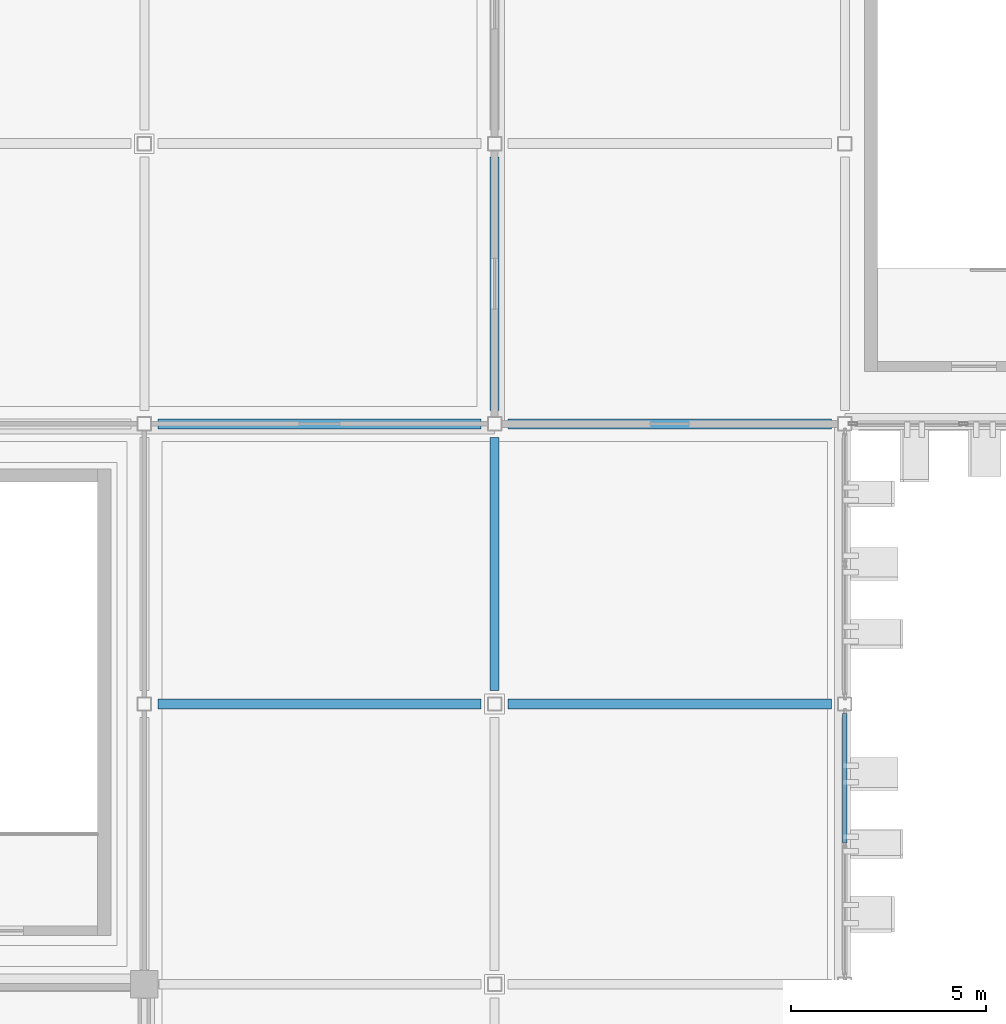
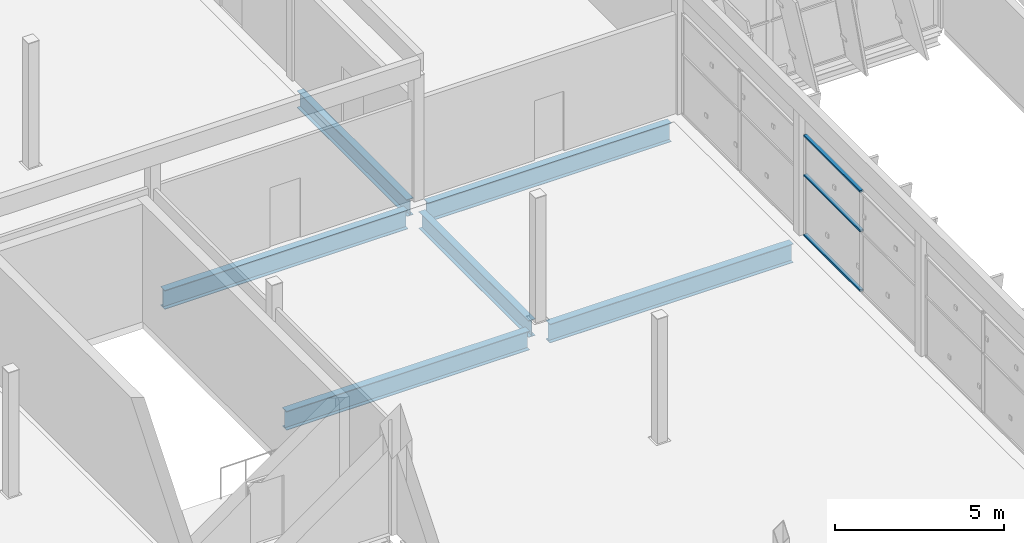
# One storey, part 56 of 124: 6 beams, 3 members, 1 element without a shape of its own.
"""IFC4 building model written with IfcOpenShell, lengths in metres."""

from ifc_helpers import new_model, si_unit, direction, frame, origin, origin_2d, place, context, subcontext, project, spatial, hollow_rectangle, i_section, extrude, material, layer, layer_set, material_profile, profile_set, type_object, element, aggregate, save


model = new_model("IFC4")

# Units and contexts
model_context = context("Model", 3, precision=1e-05, world=origin(), true_north=direction((0.0, 1.0)))
body_context = subcontext(model_context, "Body", "Model", "MODEL_VIEW")
ifc_project = project(units=[si_unit("LENGTHUNIT", "METRE"), si_unit("AREAUNIT", "SQUARE_METRE"), si_unit("VOLUMEUNIT", "CUBIC_METRE"), si_unit("PLANEANGLEUNIT", "RADIAN"), si_unit("MASSUNIT", "GRAM", prefix="KILO")], contexts=[model_context])

# Site, building, storey
site_placement = place(None, origin())
site = spatial("IfcSite", under=ifc_project, at=site_placement, CompositionType="ELEMENT")
building_placement = place(site_placement, origin())
building = spatial("IfcBuilding", under=site, at=building_placement, Name="Celestram Park Convention Centre", CompositionType="ELEMENT")
storey_placement = place(building_placement, frame((0.0, 0.0, 15.300048828125)))
storey = spatial("IfcBuildingStorey", under=building, at=storey_placement, Name="L03", CompositionType="ELEMENT", Elevation=15.300048828125)

# Curtain wall, members
ifc_material_1 = material(Name="Anodised Aluminium Alloy 6063-T6", Category="aluminium")
ifc_layer = layer(ifc_material_1, 0.179931640625)
ifc_layer_set = layer_set([ifc_layer], Name="Anodised Aluminium Alloy 6063-T6")
curtain_wall_type = type_object("IfcCurtainWallType", Name="ARC-CW-685X365", PredefinedType="NOTDEFINED", material=ifc_layer_set)
curtain_wall_placement = place(storey_placement, origin())
curtain_wall = element("IfcCurtainWall", 1, at=curtain_wall_placement, inside=storey, type_object=curtain_wall_type, Name="Unitised curtain wall CU-L03-218", PredefinedType="NOTDEFINED")
ifc_material_profile_1 = material_profile(ifc_material_1, hollow_rectangle(XDim=0.1201171875, YDim=0.06005859375, WallThickness=0.0029296875, at=origin_2d()), Name="ALU120X60X3")
ifc_profile_set_1 = profile_set([ifc_material_profile_1], Name="Anodised Aluminium Alloy 6063-T6")
member_type = type_object("IfcMemberType", Name="ARC-CWT-120", PredefinedType="USERDEFINED", material=ifc_profile_set_1)
member_1_placement = place(storey_placement, frame((144.0, 114.9619140625, 0.030029296875), z_axis=(0.0, -1.0, 0.0), x_axis=(1.0, 0.0, 0.0)))
member_1 = element("IfcMember", 2, at=member_1_placement, type_object=member_type, Name="CW-68X36 transom 1.1", ObjectType="TRANSOM", PredefinedType="USERDEFINED", context=body_context, shape_type="SweptSolid", body=[
    extrude(hollow_rectangle(XDim=0.1201171875, YDim=0.06005859375, WallThickness=0.0029296875, at=origin_2d()), origin(), (0.0, 0.0, 1.0), 3.329345703125),
])
member_2_placement = place(storey_placement, frame((144.0, 114.9619140625, 2.18896484375), z_axis=(0.0, -1.0, 0.0), x_axis=(1.0, 0.0, 0.0)))
member_2 = element("IfcMember", 3, at=member_2_placement, type_object=member_type, Name="CW-68X36 transom 1.2", ObjectType="TRANSOM", PredefinedType="USERDEFINED", context=body_context, shape_type="SweptSolid", body=[
    extrude(hollow_rectangle(XDim=0.1201171875, YDim=0.06005859375, WallThickness=0.0029296875, at=origin_2d()), origin(), (0.0, 0.0, 1.0), 3.329345703125),
])
member_3_placement = place(storey_placement, frame((144.0, 114.9619140625, 3.617919921875), z_axis=(0.0, -1.0, 0.0), x_axis=(1.0, 0.0, 0.0)))
member_3 = element("IfcMember", 4, at=member_3_placement, type_object=member_type, Name="CW-68X36 transom 1.3", ObjectType="TRANSOM", PredefinedType="USERDEFINED", context=body_context, shape_type="SweptSolid", body=[
    extrude(hollow_rectangle(XDim=0.1201171875, YDim=0.06005859375, WallThickness=0.0029296875, at=origin_2d()), origin(), (0.0, 0.0, 1.0), 3.329345703125),
])
aggregate(curtain_wall, [member_1, member_2, member_3])

# Beams
ifc_material_2 = material(Name="Steel ASTM A992 Grade 50", Category="steel")
ifc_material_profile_2 = material_profile(ifc_material_2, i_section(OverallWidth=0.22900390625, OverallDepth=0.612060546875, WebThickness=0.011962890625, FlangeThickness=0.01953125, at=origin_2d()), Name="W24X84")
ifc_profile_set_2 = profile_set([ifc_material_profile_2], Name="Steel ASTM A992 Grade 50")
beam_type_1 = type_object("IfcBeamType", Name="STR-BM-W24X84", PredefinedType="BEAM", material=ifc_profile_set_2)
for number, where, z_axis, x_axis, name in (
    (5, (135.0, 115.548095703125, -0.55615234375), (0.0, 1.0, 0.0), (-1.0, 0.0, 0.0), "Primary Y-girder BG-L03-0203"),
    (6, (135.0, 122.748046875, -0.55615234375), (0.0, 1.0, 0.0), (-1.0, 0.0, 0.0), "Primary Y-girder BG-L03-0205"),
):
    element("IfcBeam", number, at=place(storey_placement, frame(where, z_axis=z_axis, x_axis=x_axis)), inside=storey, type_object=beam_type_1, Name=name, PredefinedType="BEAM", context=body_context, shape_type="SweptSolid", body=[
        extrude(i_section(OverallWidth=0.22900390625, OverallDepth=0.612060546875, WebThickness=0.011962890625, FlangeThickness=0.01953125, at=origin_2d()), origin(), (0.0, 0.0, 1.0), 6.50390625),
    ])
ifc_material_profile_3 = material_profile(ifc_material_2, i_section(OverallWidth=0.25390625, OverallDepth=0.68310546875, WebThickness=0.012451171875, FlangeThickness=0.01904296875, at=origin_2d()), Name="W27X94")
ifc_profile_set_3 = profile_set([ifc_material_profile_3], Name="Steel ASTM A992 Grade 50")
beam_type_2 = type_object("IfcBeamType", Name="STR-BM-W27X94", PredefinedType="BEAM", material=ifc_profile_set_3)
for number, where, z_axis, x_axis, name in (
    (7, (126.347900390625, 115.199951171875, -0.591552734375), (1.0, 0.0, 0.0), (0.0, 1.0, 0.0), "Primary X-girder BG-L03-0168"),
    (8, (126.347900390625, 122.39990234375, -0.591552734375), (1.0, 0.0, 0.0), (0.0, 1.0, 0.0), "Primary X-girder BG-L03-0170"),
    (9, (135.347900390625, 115.199951171875, -0.591552734375), (1.0, 0.0, 0.0), (0.0, 1.0, 0.0), "Primary X-girder BG-L03-0202"),
    (10, (135.347900390625, 122.39990234375, -0.591552734375), (1.0, 0.0, 0.0), (0.0, 1.0, 0.0), "Primary X-girder BG-L03-0204"),
):
    element("IfcBeam", number, at=place(storey_placement, frame(where, z_axis=z_axis, x_axis=x_axis)), inside=storey, type_object=beam_type_2, Name=name, PredefinedType="BEAM", context=body_context, shape_type="SweptSolid", body=[
        extrude(i_section(OverallWidth=0.25390625, OverallDepth=0.68310546875, WebThickness=0.012451171875, FlangeThickness=0.01904296875, at=origin_2d()), origin(), (0.0, 0.0, 1.0), 8.30419921875),
    ])

save(model, "model.ifc")
